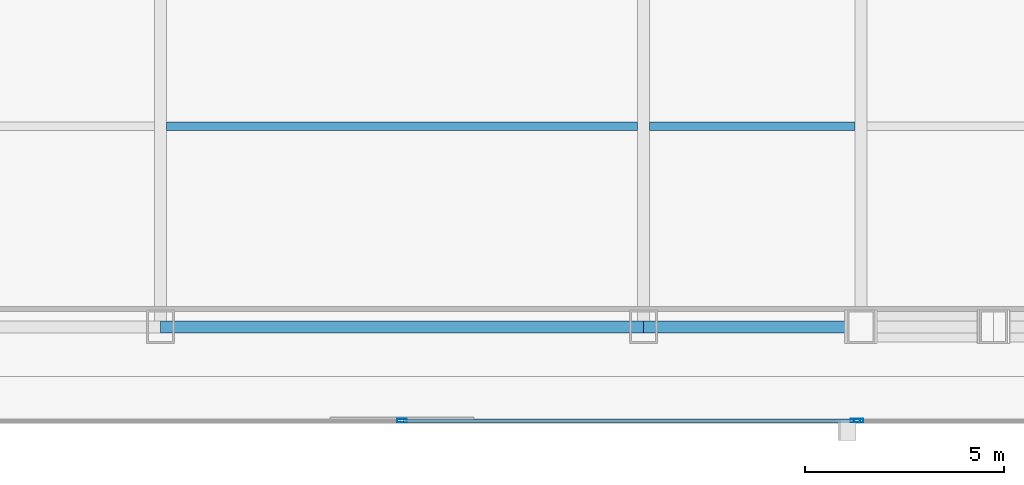
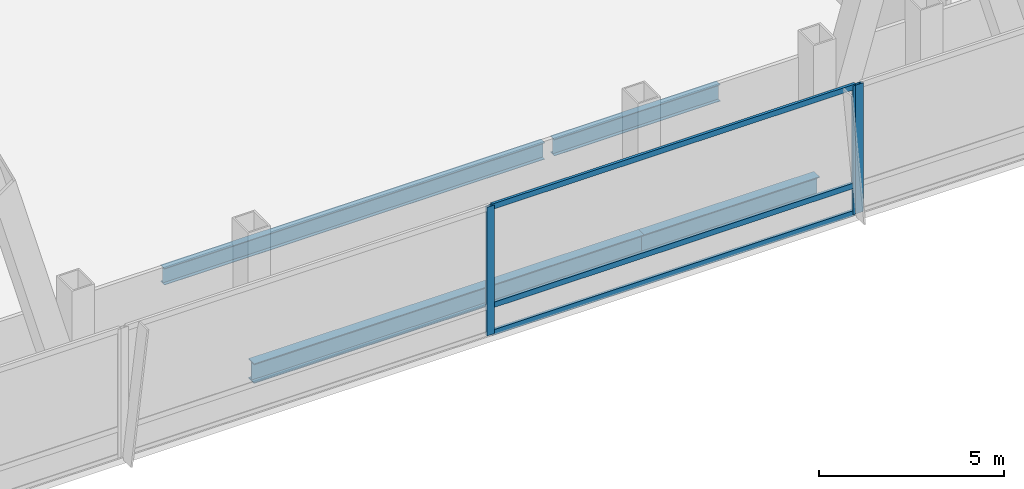
# One storey, part 14 of 32: 6 members, 4 beams, 2 elements without a shape of their own.
"""IFC4 building model written with IfcOpenShell, lengths in metres."""

import ifcopenshell
import ifcopenshell.guid

model = None  # the IFC model being written
_history = None  # IfcOwnerHistory: only IFC2X3 demands one
_inside = {}  # id of a spatial element -> (the spatial element, [elements in it])
_under = {}  # id of a project, library or spatial element -> (it, [spatial elements below it])
_declared = {}  # id of a project -> (the project, [libraries it declares])
_typed = {}  # id of a type object -> (the type object, [elements of that type])
_made_of = {}  # id of a material, layer set ... -> (it, [elements and type objects made of it])


def new_model(schema):
    """Start an empty IFC model of exactly this schema.

    Asked for "IFC4X3", IfcOpenShell would pick the latest addendum, in which some entities
    have other attributes; the version numbers below select the first issue.
    IFC2X3 requires an IfcOwnerHistory on every rooted entity: one is made here for all.
    """
    global model, _history
    if schema == "IFC4X3":
        model = ifcopenshell.file(schema_version=(4, 3, 0, 0))
    else:
        model = ifcopenshell.file(schema=schema)
    _inside.clear()
    _under.clear()
    _declared.clear()
    _typed.clear()
    _made_of.clear()
    _history = None
    if model.schema == "IFC2X3":
        org = make("IfcOrganization", Name="unknown")
        user = make(
            "IfcPersonAndOrganization",
            ThePerson=make("IfcPerson", FamilyName="unknown"),
            TheOrganization=org,
        )
        app = make(
            "IfcApplication",
            ApplicationDeveloper=org,
            Version="unknown",
            ApplicationFullName="unknown",
            ApplicationIdentifier="unknown",
        )
        _history = make(
            "IfcOwnerHistory",
            OwningUser=user,
            OwningApplication=app,
            ChangeAction="ADDED",
            CreationDate=0,
        )
    return model


def make(cls, **values):
    """One entity of the class cls with the attributes given. An attribute that is None is left unset."""
    return model.create_entity(
        cls, **{name: value for name, value in values.items() if value is not None}
    )


def rooted(cls, **values):
    """An entity with a GlobalId (a new one), such as an element, a storey or a relation."""
    return make(cls, GlobalId=ifcopenshell.guid.new(), OwnerHistory=_history, **values)


def si_unit(unit_type, name, prefix=None):
    """IfcSIUnit, for example si_unit("LENGTHUNIT", "METRE", prefix="MILLI")."""
    return make("IfcSIUnit", UnitType=unit_type, Prefix=prefix, Name=name)


def assignment(units):
    """IfcUnitAssignment: the units of a project."""
    return None if units is None else make("IfcUnitAssignment", Units=units)


def point(xyz):
    """IfcCartesianPoint."""
    return None if xyz is None else make("IfcCartesianPoint", Coordinates=xyz)


def direction(xyz):
    """IfcDirection."""
    return None if xyz is None else make("IfcDirection", DirectionRatios=xyz)


def frame(location, z_axis=None, x_axis=None):
    """IfcAxis2Placement3D, a coordinate frame: its origin and axes. An axis left out is left unset."""
    return make(
        "IfcAxis2Placement3D",
        Location=point(location),
        Axis=direction(z_axis),
        RefDirection=direction(x_axis),
    )


def frame_2d(location, x_axis=None):
    """IfcAxis2Placement2D, a coordinate frame in the plane: its origin and x axis."""
    return make(
        "IfcAxis2Placement2D", Location=point(location), RefDirection=direction(x_axis)
    )


def origin():
    """The frame at (0, 0, 0) with its axes left unset."""
    return frame((0.0, 0.0, 0.0))


def origin_2d():
    """The frame at (0, 0) in the plane with its x axis left unset."""
    return frame_2d((0.0, 0.0))


def place(relative_to, where):
    """IfcLocalPlacement: puts the frame where relative to a parent placement (None: the world)."""
    return make(
        "IfcLocalPlacement", PlacementRelTo=relative_to, RelativePlacement=where
    )


def context(
    kind, dimensions, precision=None, world=None, true_north=None, identifier=None
):
    """IfcGeometricRepresentationContext, for example the 3D "Model" context."""
    return make(
        "IfcGeometricRepresentationContext",
        ContextIdentifier=identifier,
        ContextType=kind,
        CoordinateSpaceDimension=dimensions,
        Precision=precision,
        WorldCoordinateSystem=world,
        TrueNorth=true_north,
    )


def subcontext(parent, identifier, kind, view, scale=None):
    """IfcGeometricRepresentationSubContext, for example "Body" below "Model"."""
    return make(
        "IfcGeometricRepresentationSubContext",
        ContextIdentifier=identifier,
        ContextType=kind,
        ParentContext=parent,
        TargetScale=scale,
        TargetView=view,
    )


def project(units=None, contexts=None):
    """IfcProject with its units and contexts."""
    return rooted(
        "IfcProject",
        Name="project",
        RepresentationContexts=contexts,
        UnitsInContext=assignment(units),
    )


def spatial(cls, under=None, at=None, **own):
    """A site, building, storey or space (cls), placed at a placement, below another one or the project."""
    s = rooted(cls, ObjectPlacement=at, **own)
    if under is not None:
        _under.setdefault(under.id(), (under, []))[1].append(s)
    return s


def profile(cls, at=None, kind="AREA", **sizes):
    """A parametric profile (cls). Its sizes go by their IFC names, for example OverallWidth=200.0."""
    return make(cls, ProfileType=kind, Position=at, **sizes)


def hollow_rectangle(**sizes):
    """IfcRectangleHollowProfileDef."""
    return profile("IfcRectangleHollowProfileDef", **sizes)


def i_section(**sizes):
    """IfcIShapeProfileDef."""
    return profile("IfcIShapeProfileDef", **sizes)


def extrude(swept, where, along, depth):
    """IfcExtrudedAreaSolid: the profile swept, set in the frame where, extruded along a direction by depth."""
    return make(
        "IfcExtrudedAreaSolid",
        SweptArea=swept,
        Position=where,
        ExtrudedDirection=direction(along),
        Depth=depth,
    )


def shape(context_of_items, identifier, shape_type, items):
    """IfcShapeRepresentation: the items that make up one representation, for example the "Body"."""
    return make(
        "IfcShapeRepresentation",
        ContextOfItems=context_of_items,
        RepresentationIdentifier=identifier,
        RepresentationType=shape_type,
        Items=items,
    )


def material(Name=None, Category=None):
    """IfcMaterial."""
    return make("IfcMaterial", Name=Name, Category=Category)


def material_profile(
    of_material, cross_section, Name=None, Category=None, Priority=None
):
    """IfcMaterialProfile: a cross section and its material."""
    return make(
        "IfcMaterialProfile",
        Name=Name,
        Material=of_material,
        Profile=cross_section,
        Priority=Priority,
        Category=Category,
    )


def profile_set(profiles, Name=None, composite=None):
    """IfcMaterialProfileSet."""
    return make(
        "IfcMaterialProfileSet",
        Name=Name,
        MaterialProfiles=profiles,
        CompositeProfile=composite,
    )


def made_of(thing, what):
    """Note that an element or type object is made of a material, layer set ...; save() writes the relation."""
    if what is not None:
        _made_of.setdefault(what.id(), (what, []))[1].append(thing)
    return thing


def type_object(cls, material=None, **own):
    """A type object (cls), such as IfcWallType, which elements share."""
    return made_of(rooted(cls, **own), material)


def element(
    cls,
    number,
    at=None,
    inside=None,
    cuts=None,
    type_object=None,
    material=None,
    context=None,
    identifier="Body",
    shape_type=None,
    held_by="IfcProductDefinitionShape",
    body=None,
    shapes=None,
    **own,
):
    """One element of the class cls, such as IfcWall. Its Tag is "e" and its number.

    at: its placement. inside: the storey or other place that contains it. cuts: it is an
    opening in that element (IfcRelVoidsElement). A single representation is given by context,
    identifier, shape_type and body (its items); several are given by shapes. held_by: the class
    of the entity that holds the representations. save() writes the other relations.
    """
    e = rooted(cls, Tag="e%d" % number, ObjectPlacement=at, **own)
    if body is not None:
        shapes = [shape(context, identifier, shape_type, body)]
    if shapes is not None:
        e.Representation = make(held_by, Representations=shapes)
    if inside is not None:
        _inside.setdefault(inside.id(), (inside, []))[1].append(e)
    if cuts is not None:
        rooted(
            "IfcRelVoidsElement", RelatingBuildingElement=cuts, RelatedOpeningElement=e
        )
    if type_object is not None:
        _typed.setdefault(type_object.id(), (type_object, []))[1].append(e)
    return made_of(e, material)


def aggregate(whole, parts):
    """IfcRelAggregates: a whole, such as a stair, and the parts it consists of."""
    return rooted("IfcRelAggregates", RelatingObject=whole, RelatedObjects=parts)


def save(model, path):
    """Write the relations noted so far, then the file.

    IfcRelAggregates (storeys below a building ...), IfcRelContainedInSpatialStructure (elements
    in a storey), IfcRelDefinesByType, IfcRelAssociatesMaterial and IfcRelDeclares: one each for
    every whole, place, type object, material and project.
    """
    for whole, parts in _under.values():
        aggregate(whole, parts)
    for where, things in _inside.values():
        rooted(
            "IfcRelContainedInSpatialStructure",
            RelatedElements=things,
            RelatingStructure=where,
        )
    for kind, things in _typed.values():
        rooted("IfcRelDefinesByType", RelatedObjects=things, RelatingType=kind)
    for what, things in _made_of.values():
        rooted("IfcRelAssociatesMaterial", RelatedObjects=things, RelatingMaterial=what)
    for by, libraries in _declared.values():
        rooted("IfcRelDeclares", RelatingContext=by, RelatedDefinitions=libraries)
    model.write(path)


model = new_model("IFC4")

# Units and contexts
model_context = context("Model", 3, precision=1e-05, world=origin(), true_north=direction((0.0, 1.0)))
body_context = subcontext(model_context, "Body", "Model", "MODEL_VIEW")
ifc_project = project(units=[si_unit("LENGTHUNIT", "METRE"), si_unit("AREAUNIT", "SQUARE_METRE"), si_unit("VOLUMEUNIT", "CUBIC_METRE"), si_unit("PLANEANGLEUNIT", "RADIAN"), si_unit("MASSUNIT", "GRAM", prefix="KILO")], contexts=[model_context])

# Site, building, storey
site_placement = place(None, origin())
site = spatial("IfcSite", under=ifc_project, at=site_placement, CompositionType="ELEMENT")
building_placement = place(site_placement, origin())
building = spatial("IfcBuilding", under=site, at=building_placement, Name="Khoronbel Lancet Exchange", CompositionType="ELEMENT")
storey_placement = place(building_placement, frame((0.0, 0.0, 106.60009765625)))
storey = spatial("IfcBuildingStorey", under=building, at=storey_placement, Name="L25", CompositionType="ELEMENT", Elevation=106.60009765625)

# Beams
ifc_material_1 = material(Name="Steel S355", Category="steel")
ifc_material_profile_1 = material_profile(ifc_material_1, i_section(OverallWidth=0.2099609375, OverallDepth=0.550048828125, WebThickness=0.010986328125, FlangeThickness=0.01708984375, at=origin_2d()), Name="IPE 550")
ifc_profile_set_1 = profile_set([ifc_material_profile_1], Name="Steel S355")
beam_type_1 = type_object("IfcBeamType", Name="BM-BJ2", PredefinedType="JOIST", material=ifc_profile_set_1)
beam_1_placement = place(storey_placement, frame((30.52490234375, 15.199951171875, -0.47509765625), z_axis=(1.0, 0.0, 0.0), x_axis=(0.0, 1.0, 0.0)))
element("IfcBeam", 1, at=beam_1_placement, inside=storey, type_object=beam_type_1, Name="Level L25 secondary composite joist J03", PredefinedType="JOIST", context=body_context, shape_type="SweptSolid", body=[
    extrude(i_section(OverallWidth=0.2099609375, OverallDepth=0.550048828125, WebThickness=0.010986328125, FlangeThickness=0.01708984375, at=origin_2d()), origin(), (0.0, 0.0, 1.0), 11.85009765625),
])
beam_2_placement = place(storey_placement, frame((42.675048828125, 15.199951171875, -0.47509765625), z_axis=(1.0, 0.0, 0.0), x_axis=(0.0, 1.0, 0.0)))
element("IfcBeam", 2, at=beam_2_placement, inside=storey, type_object=beam_type_1, Name="Level L25 secondary composite joist J04", PredefinedType="JOIST", context=body_context, shape_type="SweptSolid", body=[
    extrude(i_section(OverallWidth=0.2099609375, OverallDepth=0.550048828125, WebThickness=0.010986328125, FlangeThickness=0.01708984375, at=origin_2d()), origin(), (0.0, 0.0, 1.0), 5.175048828125),
])
ifc_material_profile_2 = material_profile(ifc_material_1, i_section(OverallWidth=0.300048828125, OverallDepth=0.64990234375, WebThickness=0.01611328125, FlangeThickness=0.031005859375, at=origin_2d()), Name="HEB 650")
ifc_profile_set_2 = profile_set([ifc_material_profile_2], Name="Steel S355")
beam_type_2 = type_object("IfcBeamType", Name="BM-BSP1", PredefinedType="SPANDREL", material=ifc_profile_set_2)
beam_3_placement = place(storey_placement, frame((30.375, 10.14990234375, -0.525146484375), z_axis=(1.0, 0.0, 0.0), x_axis=(0.0, 1.0, 0.0)))
element("IfcBeam", 3, at=beam_3_placement, inside=storey, type_object=beam_type_2, Name="Level L25 perimeter spandrel beam SP05", PredefinedType="SPANDREL", context=body_context, shape_type="SweptSolid", body=[
    extrude(i_section(OverallWidth=0.300048828125, OverallDepth=0.64990234375, WebThickness=0.01611328125, FlangeThickness=0.031005859375, at=origin_2d()), origin(), (0.0, 0.0, 1.0), 12.14990234375),
])
beam_4_placement = place(storey_placement, frame((42.52490234375, 10.14990234375, -0.525146484375), z_axis=(1.0, 0.0, 0.0), x_axis=(0.0, 1.0, 0.0)))
element("IfcBeam", 4, at=beam_4_placement, inside=storey, type_object=beam_type_2, Name="Level L25 perimeter spandrel beam SP06", PredefinedType="SPANDREL", context=body_context, shape_type="SweptSolid", body=[
    extrude(i_section(OverallWidth=0.300048828125, OverallDepth=0.64990234375, WebThickness=0.01611328125, FlangeThickness=0.031005859375, at=origin_2d()), origin(), (0.0, 0.0, 1.0), 5.47509765625),
])

# Curtain wall, members
ifc_material_2 = material(Name="Low-E Solar Control Insulating Glass", Category="glass")
curtain_wall_type = type_object("IfcCurtainWallType", Name="CW-2", PredefinedType="NOTDEFINED", material=ifc_material_2)
curtain_wall_1_placement = place(storey_placement, origin())
curtain_wall_1 = element("IfcCurtainWall", 5, at=curtain_wall_1_placement, inside=storey, type_object=curtain_wall_type, Name="Unitised curtain wall CW-L25-SCV", PredefinedType="NOTDEFINED")
ifc_material_3 = material(Name="Bronze-Anodised Aluminium 6063-T6", Category="aluminium")
ifc_material_profile_3 = material_profile(ifc_material_3, hollow_rectangle(XDim=0.0849609375, YDim=0.239990234375, WallThickness=0.006103515625, at=origin_2d()), Name="ALU MULLION 85x240")
ifc_profile_set_3 = profile_set([ifc_material_profile_3], Name="Bronze-Anodised Aluminium 6063-T6")
member_type_1 = type_object("IfcMemberType", Name="MEM-CWM1", PredefinedType="MULLION", material=ifc_profile_set_3)
member_1_placement = place(storey_placement, frame((36.449951171875, 7.7900390625, 0.0), z_axis=(0.0, 0.0, 1.0), x_axis=(0.0, 1.0, 0.0)))
member_1 = element("IfcMember", 6, at=member_1_placement, type_object=member_type_1, Name="CW2 mullion 2", PredefinedType="MULLION", context=body_context, shape_type="SweptSolid", body=[
    extrude(hollow_rectangle(XDim=0.0849609375, YDim=0.239990234375, WallThickness=0.006103515625, at=origin_2d()), origin(), (0.0, 0.0, 1.0), 4.239990234375),
])
member_2_placement = place(storey_placement, frame((47.857421875, 7.7900390625, 0.0), z_axis=(0.0, 0.0, 1.0), x_axis=(0.0, 1.0, 0.0)))
member_2 = element("IfcMember", 7, at=member_2_placement, type_object=member_type_1, Name="CW2 mullion 3", PredefinedType="MULLION", context=body_context, shape_type="SweptSolid", body=[
    extrude(hollow_rectangle(XDim=0.0849609375, YDim=0.239990234375, WallThickness=0.006103515625, at=origin_2d()), origin(), (0.0, 0.0, 1.0), 4.239990234375),
])

# Curtain wall, member
curtain_wall_2_placement = place(storey_placement, origin())
curtain_wall_2 = element("IfcCurtainWall", 8, at=curtain_wall_2_placement, inside=storey, type_object=curtain_wall_type, Name="Unitised curtain wall CW-L25-SEB", PredefinedType="NOTDEFINED")
member_3_placement = place(storey_placement, frame((47.9423828125, 7.7900390625, 0.0), z_axis=(0.0, 0.0, 1.0), x_axis=(0.0, 1.0, 0.0)))
member_3 = element("IfcMember", 9, at=member_3_placement, type_object=member_type_1, Name="CW2 mullion 1", PredefinedType="MULLION", context=body_context, shape_type="SweptSolid", body=[
    extrude(hollow_rectangle(XDim=0.0849609375, YDim=0.239990234375, WallThickness=0.006103515625, at=origin_2d()), origin(), (0.0, 0.0, 1.0), 4.239990234375),
])
aggregate(curtain_wall_2, [member_3])

# Member
ifc_material_profile_4 = material_profile(ifc_material_3, hollow_rectangle(XDim=0.0849609375, YDim=0.179931640625, WallThickness=0.0048828125, at=origin_2d()), Name="ALU TRANSOM 85x180")
ifc_profile_set_4 = profile_set([ifc_material_profile_4], Name="Bronze-Anodised Aluminium 6063-T6")
member_type_2 = type_object("IfcMemberType", Name="MEM-CWT1", PredefinedType="USERDEFINED", material=ifc_profile_set_4)
member_4_placement = place(storey_placement, frame((36.492431640625, 7.7900390625, 0.04248046875), z_axis=(1.0, 0.0, 0.0), x_axis=(0.0, 1.0, 0.0)))
member_4 = element("IfcMember", 10, at=member_4_placement, type_object=member_type_2, Name="CW2 transom 2.1", ObjectType="TRANSOM", PredefinedType="USERDEFINED", context=body_context, shape_type="SweptSolid", body=[
    extrude(hollow_rectangle(XDim=0.0849609375, YDim=0.179931640625, WallThickness=0.0048828125, at=origin_2d()), origin(), (0.0, 0.0, 1.0), 11.322509765625),
])

member_5_placement = place(storey_placement, frame((36.492431640625, 7.7900390625, 0.949951171875), z_axis=(1.0, 0.0, 0.0), x_axis=(0.0, 1.0, 0.0)))
member_5 = element("IfcMember", 11, at=member_5_placement, type_object=member_type_2, Name="CW2 transom 2.2", ObjectType="TRANSOM", PredefinedType="USERDEFINED", context=body_context, shape_type="SweptSolid", body=[
    extrude(hollow_rectangle(XDim=0.0849609375, YDim=0.179931640625, WallThickness=0.0048828125, at=origin_2d()), origin(), (0.0, 0.0, 1.0), 11.322509765625),
])

member_6_placement = place(storey_placement, frame((36.492431640625, 7.7900390625, 4.197509765625), z_axis=(1.0, 0.0, 0.0), x_axis=(0.0, 1.0, 0.0)))
member_6 = element("IfcMember", 12, at=member_6_placement, type_object=member_type_2, Name="CW2 transom 2.3", ObjectType="TRANSOM", PredefinedType="USERDEFINED", context=body_context, shape_type="SweptSolid", body=[
    extrude(hollow_rectangle(XDim=0.0849609375, YDim=0.179931640625, WallThickness=0.0048828125, at=origin_2d()), origin(), (0.0, 0.0, 1.0), 11.322509765625),
])

aggregate(curtain_wall_1, [member_1, member_2, member_4, member_5, member_6])

save(model, "model.ifc")
